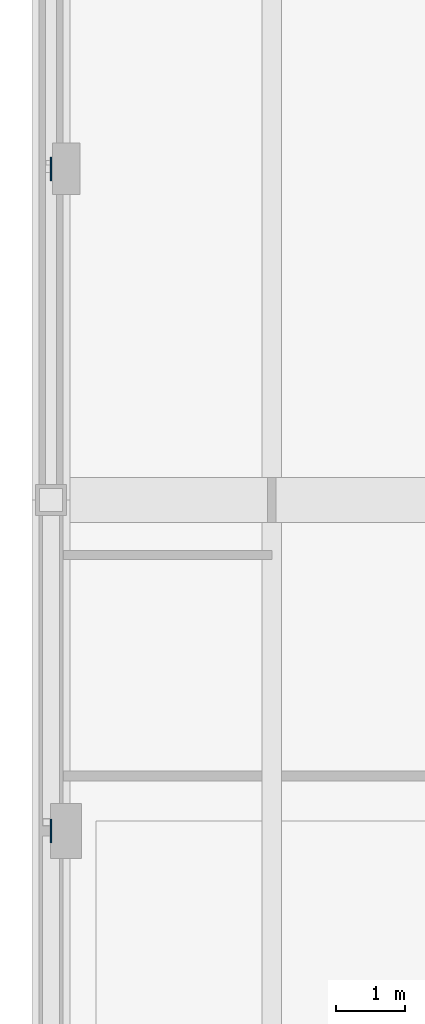
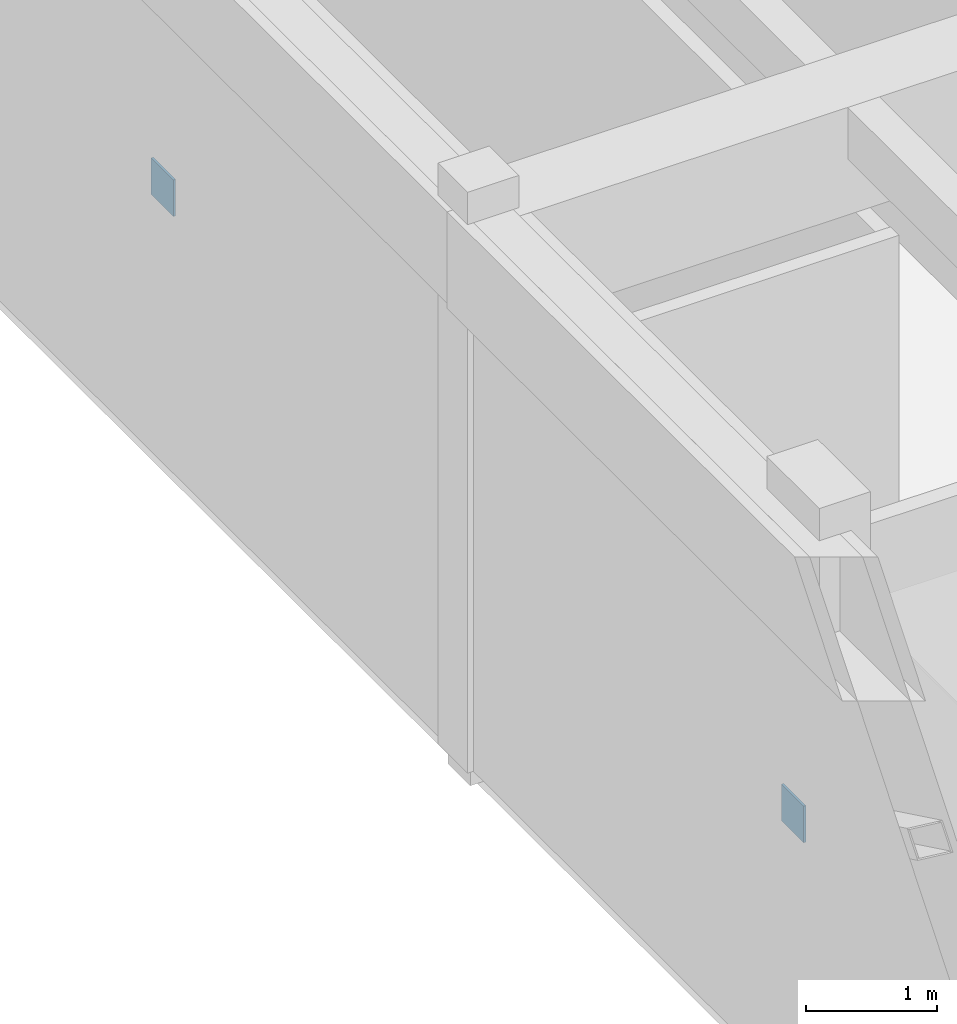
# One storey, part 103 of 138: 2 plates.
"""IFC4 building model written with IfcOpenShell, lengths in metres."""

from ifc_helpers import new_model, si_unit, direction, frame, origin, origin_2d, place, context, subcontext, project, spatial, rectangle, extrude, material, layer, layer_set, type_object, element, save


model = new_model("IFC4")

# Units and contexts
model_context = context("Model", 3, precision=1e-05, world=origin(), true_north=direction((0.0, 1.0)))
body_context = subcontext(model_context, "Body", "Model", "MODEL_VIEW")
ifc_project = project(units=[si_unit("LENGTHUNIT", "METRE"), si_unit("AREAUNIT", "SQUARE_METRE"), si_unit("VOLUMEUNIT", "CUBIC_METRE"), si_unit("PLANEANGLEUNIT", "RADIAN"), si_unit("MASSUNIT", "GRAM", prefix="KILO")], contexts=[model_context])

# Site, building, storey
site_placement = place(None, origin())
site = spatial("IfcSite", under=ifc_project, at=site_placement, CompositionType="ELEMENT")
building_placement = place(site_placement, origin())
building = spatial("IfcBuilding", under=site, at=building_placement, Name="Fikremerkos Civic Library", CompositionType="ELEMENT")
storey_placement = place(building_placement, origin())
storey = spatial("IfcBuildingStorey", under=building, at=storey_placement, Name="L00", CompositionType="ELEMENT", Elevation=0.0)

# Plates
ifc_material = material(Name="Steel S355", Category="steel")
ifc_layer = layer(ifc_material, 0.02001953125, Name="Steel S355")
ifc_layer_set = layer_set([ifc_layer], Name="Steel S355")
plate_type = type_object("IfcPlateType", Name="Steel gusset cap plate GSP-03 340x340x20", PredefinedType="USERDEFINED", material=ifc_layer_set)
for number, where, z_axis, x_axis, name in (
    (1, (0.0, 16.800048828125, 2.15478515625), (0.0, 0.0, 1.0), (1.0, 0.0, 0.0), "Steel gusset cap plate GSP-03 #60"),
    (2, (0.0, 26.39990234375, 2.15478515625), (0.0, 0.0, 1.0), (1.0, 0.0, 0.0), "Steel gusset cap plate GSP-03 #61"),
):
    element("IfcPlate", number, at=place(storey_placement, frame(where, z_axis=z_axis, x_axis=x_axis)), inside=storey, type_object=plate_type, Name=name, ObjectType="GUSSET PLATE", PredefinedType="USERDEFINED", context=body_context, shape_type="SweptSolid", body=[
        extrude(rectangle(XDim=0.02001953125, YDim=0.340087890625, at=origin_2d()), origin(), (0.0, 0.0, 1.0), 0.340087890625),
    ])

save(model, "model.ifc")
